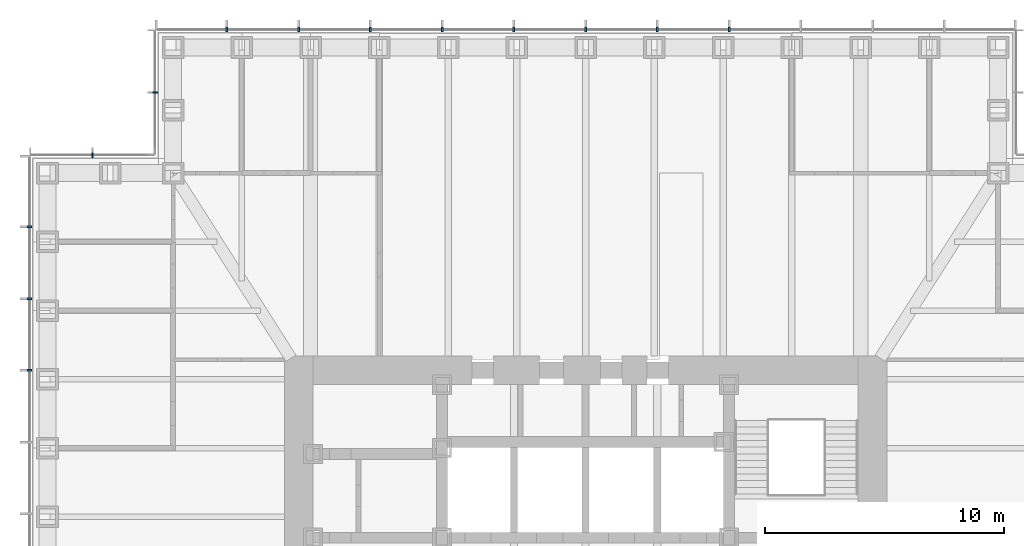
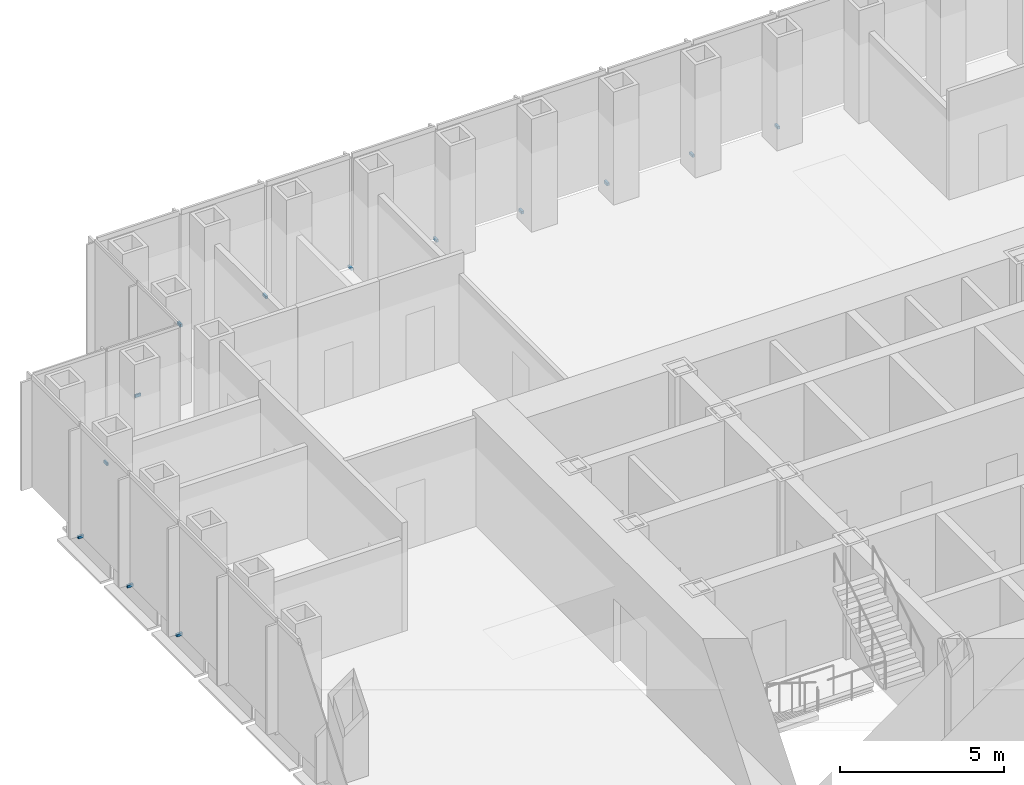
# One storey, part 15 of 17: 13 discrete accessories.
"""IFC4 building model written with IfcOpenShell, lengths in metres."""

import ifcopenshell
import ifcopenshell.guid

model = None  # the IFC model being written
_history = None  # IfcOwnerHistory: only IFC2X3 demands one
_inside = {}  # id of a spatial element -> (the spatial element, [elements in it])
_under = {}  # id of a project, library or spatial element -> (it, [spatial elements below it])
_declared = {}  # id of a project -> (the project, [libraries it declares])
_typed = {}  # id of a type object -> (the type object, [elements of that type])
_made_of = {}  # id of a material, layer set ... -> (it, [elements and type objects made of it])


def new_model(schema):
    """Start an empty IFC model of exactly this schema.

    Asked for "IFC4X3", IfcOpenShell would pick the latest addendum, in which some entities
    have other attributes; the version numbers below select the first issue.
    IFC2X3 requires an IfcOwnerHistory on every rooted entity: one is made here for all.
    """
    global model, _history
    if schema == "IFC4X3":
        model = ifcopenshell.file(schema_version=(4, 3, 0, 0))
    else:
        model = ifcopenshell.file(schema=schema)
    _inside.clear()
    _under.clear()
    _declared.clear()
    _typed.clear()
    _made_of.clear()
    _history = None
    if model.schema == "IFC2X3":
        org = make("IfcOrganization", Name="unknown")
        user = make(
            "IfcPersonAndOrganization",
            ThePerson=make("IfcPerson", FamilyName="unknown"),
            TheOrganization=org,
        )
        app = make(
            "IfcApplication",
            ApplicationDeveloper=org,
            Version="unknown",
            ApplicationFullName="unknown",
            ApplicationIdentifier="unknown",
        )
        _history = make(
            "IfcOwnerHistory",
            OwningUser=user,
            OwningApplication=app,
            ChangeAction="ADDED",
            CreationDate=0,
        )
    return model


def make(cls, **values):
    """One entity of the class cls with the attributes given. An attribute that is None is left unset."""
    return model.create_entity(
        cls, **{name: value for name, value in values.items() if value is not None}
    )


def rooted(cls, **values):
    """An entity with a GlobalId (a new one), such as an element, a storey or a relation."""
    return make(cls, GlobalId=ifcopenshell.guid.new(), OwnerHistory=_history, **values)


def si_unit(unit_type, name, prefix=None):
    """IfcSIUnit, for example si_unit("LENGTHUNIT", "METRE", prefix="MILLI")."""
    return make("IfcSIUnit", UnitType=unit_type, Prefix=prefix, Name=name)


def assignment(units):
    """IfcUnitAssignment: the units of a project."""
    return None if units is None else make("IfcUnitAssignment", Units=units)


def point(xyz):
    """IfcCartesianPoint."""
    return None if xyz is None else make("IfcCartesianPoint", Coordinates=xyz)


def direction(xyz):
    """IfcDirection."""
    return None if xyz is None else make("IfcDirection", DirectionRatios=xyz)


def frame(location, z_axis=None, x_axis=None):
    """IfcAxis2Placement3D, a coordinate frame: its origin and axes. An axis left out is left unset."""
    return make(
        "IfcAxis2Placement3D",
        Location=point(location),
        Axis=direction(z_axis),
        RefDirection=direction(x_axis),
    )


def frame_2d(location, x_axis=None):
    """IfcAxis2Placement2D, a coordinate frame in the plane: its origin and x axis."""
    return make(
        "IfcAxis2Placement2D", Location=point(location), RefDirection=direction(x_axis)
    )


def origin():
    """The frame at (0, 0, 0) with its axes left unset."""
    return frame((0.0, 0.0, 0.0))


def origin_2d():
    """The frame at (0, 0) in the plane with its x axis left unset."""
    return frame_2d((0.0, 0.0))


def place(relative_to, where):
    """IfcLocalPlacement: puts the frame where relative to a parent placement (None: the world)."""
    return make(
        "IfcLocalPlacement", PlacementRelTo=relative_to, RelativePlacement=where
    )


def context(
    kind, dimensions, precision=None, world=None, true_north=None, identifier=None
):
    """IfcGeometricRepresentationContext, for example the 3D "Model" context."""
    return make(
        "IfcGeometricRepresentationContext",
        ContextIdentifier=identifier,
        ContextType=kind,
        CoordinateSpaceDimension=dimensions,
        Precision=precision,
        WorldCoordinateSystem=world,
        TrueNorth=true_north,
    )


def subcontext(parent, identifier, kind, view, scale=None):
    """IfcGeometricRepresentationSubContext, for example "Body" below "Model"."""
    return make(
        "IfcGeometricRepresentationSubContext",
        ContextIdentifier=identifier,
        ContextType=kind,
        ParentContext=parent,
        TargetScale=scale,
        TargetView=view,
    )


def project(units=None, contexts=None):
    """IfcProject with its units and contexts."""
    return rooted(
        "IfcProject",
        Name="project",
        RepresentationContexts=contexts,
        UnitsInContext=assignment(units),
    )


def spatial(cls, under=None, at=None, **own):
    """A site, building, storey or space (cls), placed at a placement, below another one or the project."""
    s = rooted(cls, ObjectPlacement=at, **own)
    if under is not None:
        _under.setdefault(under.id(), (under, []))[1].append(s)
    return s


def profile(cls, at=None, kind="AREA", **sizes):
    """A parametric profile (cls). Its sizes go by their IFC names, for example OverallWidth=200.0."""
    return make(cls, ProfileType=kind, Position=at, **sizes)


def rectangle(**sizes):
    """IfcRectangleProfileDef."""
    return profile("IfcRectangleProfileDef", **sizes)


def extrude(swept, where, along, depth):
    """IfcExtrudedAreaSolid: the profile swept, set in the frame where, extruded along a direction by depth."""
    return make(
        "IfcExtrudedAreaSolid",
        SweptArea=swept,
        Position=where,
        ExtrudedDirection=direction(along),
        Depth=depth,
    )


def shape(context_of_items, identifier, shape_type, items):
    """IfcShapeRepresentation: the items that make up one representation, for example the "Body"."""
    return make(
        "IfcShapeRepresentation",
        ContextOfItems=context_of_items,
        RepresentationIdentifier=identifier,
        RepresentationType=shape_type,
        Items=items,
    )


def made_of(thing, what):
    """Note that an element or type object is made of a material, layer set ...; save() writes the relation."""
    if what is not None:
        _made_of.setdefault(what.id(), (what, []))[1].append(thing)
    return thing


def element(
    cls,
    number,
    at=None,
    inside=None,
    cuts=None,
    type_object=None,
    material=None,
    context=None,
    identifier="Body",
    shape_type=None,
    held_by="IfcProductDefinitionShape",
    body=None,
    shapes=None,
    **own,
):
    """One element of the class cls, such as IfcWall. Its Tag is "e" and its number.

    at: its placement. inside: the storey or other place that contains it. cuts: it is an
    opening in that element (IfcRelVoidsElement). A single representation is given by context,
    identifier, shape_type and body (its items); several are given by shapes. held_by: the class
    of the entity that holds the representations. save() writes the other relations.
    """
    e = rooted(cls, Tag="e%d" % number, ObjectPlacement=at, **own)
    if body is not None:
        shapes = [shape(context, identifier, shape_type, body)]
    if shapes is not None:
        e.Representation = make(held_by, Representations=shapes)
    if inside is not None:
        _inside.setdefault(inside.id(), (inside, []))[1].append(e)
    if cuts is not None:
        rooted(
            "IfcRelVoidsElement", RelatingBuildingElement=cuts, RelatedOpeningElement=e
        )
    if type_object is not None:
        _typed.setdefault(type_object.id(), (type_object, []))[1].append(e)
    return made_of(e, material)


def aggregate(whole, parts):
    """IfcRelAggregates: a whole, such as a stair, and the parts it consists of."""
    return rooted("IfcRelAggregates", RelatingObject=whole, RelatedObjects=parts)


def save(model, path):
    """Write the relations noted so far, then the file.

    IfcRelAggregates (storeys below a building ...), IfcRelContainedInSpatialStructure (elements
    in a storey), IfcRelDefinesByType, IfcRelAssociatesMaterial and IfcRelDeclares: one each for
    every whole, place, type object, material and project.
    """
    for whole, parts in _under.values():
        aggregate(whole, parts)
    for where, things in _inside.values():
        rooted(
            "IfcRelContainedInSpatialStructure",
            RelatedElements=things,
            RelatingStructure=where,
        )
    for kind, things in _typed.values():
        rooted("IfcRelDefinesByType", RelatedObjects=things, RelatingType=kind)
    for what, things in _made_of.values():
        rooted("IfcRelAssociatesMaterial", RelatedObjects=things, RelatingMaterial=what)
    for by, libraries in _declared.values():
        rooted("IfcRelDeclares", RelatingContext=by, RelatedDefinitions=libraries)
    model.write(path)


model = new_model("IFC4")

# Units and contexts
model_context = context("Model", 3, precision=1e-05, world=origin(), true_north=direction((0.0, 1.0)))
body_context = subcontext(model_context, "Body", "Model", "MODEL_VIEW")
ifc_project = project(units=[si_unit("LENGTHUNIT", "METRE"), si_unit("AREAUNIT", "SQUARE_METRE"), si_unit("VOLUMEUNIT", "CUBIC_METRE"), si_unit("PLANEANGLEUNIT", "RADIAN"), si_unit("MASSUNIT", "GRAM", prefix="KILO")], contexts=[model_context])

# Site, building, storey
site_placement = place(None, origin())
site = spatial("IfcSite", under=ifc_project, at=site_placement, CompositionType="ELEMENT")
building_placement = place(site_placement, origin())
building = spatial("IfcBuilding", under=site, at=building_placement, Name="Daluyong Arena Tower", CompositionType="ELEMENT")
storey_placement = place(building_placement, frame((0.0, 0.0, 158.5)))
storey = spatial("IfcBuildingStorey", under=building, at=storey_placement, Name="L35", CompositionType="ELEMENT", Elevation=158.5)

# Discrete accessories
for number, where, z_axis, x_axis, name in (
    (1, (62.0, 103.25, -0.10009765625), (0.0, 0.0, 1.0), (-1.0, 0.0, 0.0), "curtain wall L35 N anchor bracket 5"),
    (2, (59.0, 103.25, -0.10009765625), (0.0, 0.0, 1.0), (-1.0, 0.0, 0.0), "curtain wall L35 N anchor bracket 6"),
    (3, (56.0, 103.25, -0.10009765625), (0.0, 0.0, 1.0), (-1.0, 0.0, 0.0), "curtain wall L35 N anchor bracket 7"),
    (4, (53.0, 103.25, -0.10009765625), (0.0, 0.0, 1.0), (-1.0, 0.0, 0.0), "curtain wall L35 N anchor bracket 8"),
    (5, (50.0, 103.25, -0.10009765625), (0.0, 0.0, 1.0), (-1.0, 0.0, 0.0), "curtain wall L35 N anchor bracket 9"),
    (6, (47.0, 103.25, -0.10009765625), (0.0, 0.0, 1.0), (-1.0, 0.0, 0.0), "curtain wall L35 N anchor bracket 10"),
    (7, (44.0, 103.25, -0.10009765625), (0.0, 0.0, 1.0), (-1.0, 0.0, 0.0), "curtain wall L35 N anchor bracket 11"),
    (8, (41.0, 103.25, -0.10009765625), (0.0, 0.0, 1.0), (-1.0, 0.0, 0.0), "curtain wall L35 N anchor bracket 12"),
):
    element("IfcDiscreteAccessory", number, at=place(storey_placement, frame(where, z_axis=z_axis, x_axis=x_axis)), inside=storey, Name=name, PredefinedType="BRACKET", context=body_context, shape_type="SweptSolid", body=[
        extrude(rectangle(XDim=0.080078125, YDim=0.199951171875, at=origin_2d()), origin(), (0.0, 0.0, 1.0), 0.10009765625),
    ])
for number, where, z_axis, x_axis, name in (
    (9, (38.0, 100.625, -0.10009765625), (0.0, 0.0, 1.0), (0.0, -1.0, 0.0), "curtain wall L35 NW-W anchor bracket 2"),
    (10, (35.375, 98.0, -0.10009765625), (0.0, 0.0, 1.0), (-1.0, 0.0, 0.0), "curtain wall L35 NW-N anchor bracket 2"),
):
    element("IfcDiscreteAccessory", number, at=place(storey_placement, frame(where, z_axis=z_axis, x_axis=x_axis)), inside=storey, Name=name, PredefinedType="BRACKET", context=body_context, shape_type="SweptSolid", body=[
        extrude(rectangle(XDim=0.06005859375, YDim=0.199951171875, at=origin_2d()), origin(), (0.0, 0.0, 1.0), 0.10009765625),
    ])
for number, where, z_axis, x_axis, name in (
    (11, (32.75, 95.0, -0.10009765625), (0.0, 0.0, 1.0), (0.0, -1.0, 0.0), "curtain wall L35 W anchor bracket 2"),
    (12, (32.75, 92.0, -0.10009765625), (0.0, 0.0, 1.0), (0.0, -1.0, 0.0), "curtain wall L35 W anchor bracket 3"),
    (13, (32.75, 89.0, -0.10009765625), (0.0, 0.0, 1.0), (0.0, -1.0, 0.0), "curtain wall L35 W anchor bracket 4"),
):
    element("IfcDiscreteAccessory", number, at=place(storey_placement, frame(where, z_axis=z_axis, x_axis=x_axis)), inside=storey, Name=name, PredefinedType="BRACKET", context=body_context, shape_type="SweptSolid", body=[
        extrude(rectangle(XDim=0.080078125, YDim=0.199951171875, at=origin_2d()), origin(), (0.0, 0.0, 1.0), 0.10009765625),
    ])

save(model, "model.ifc")
